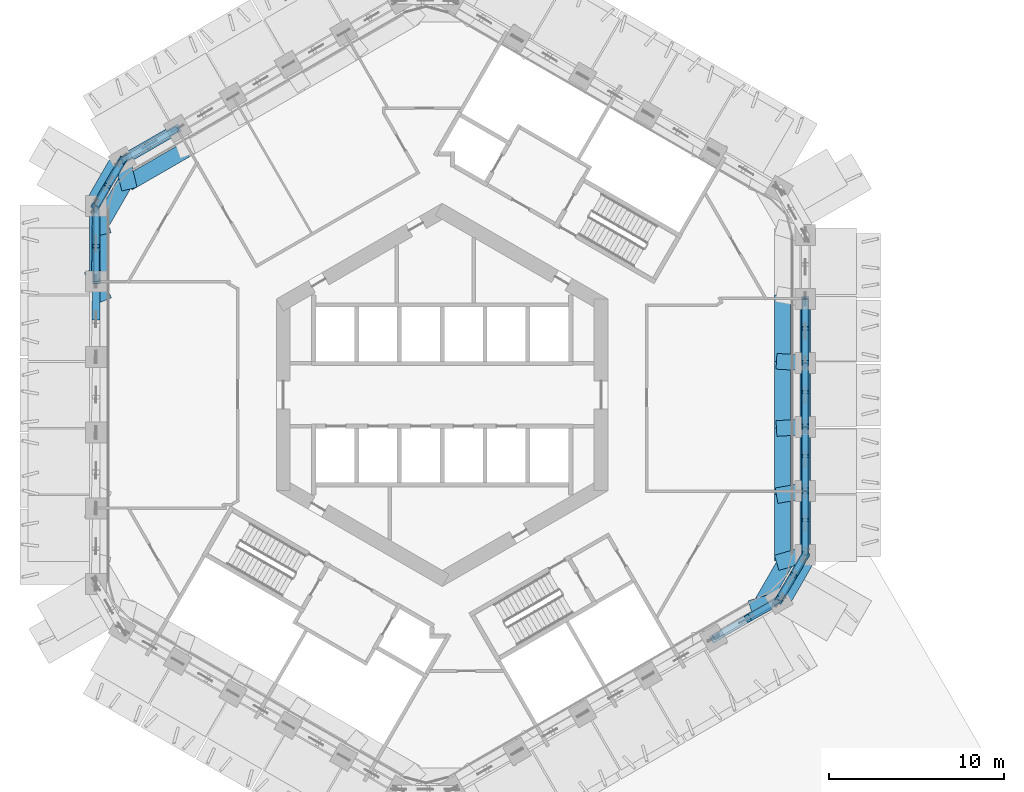
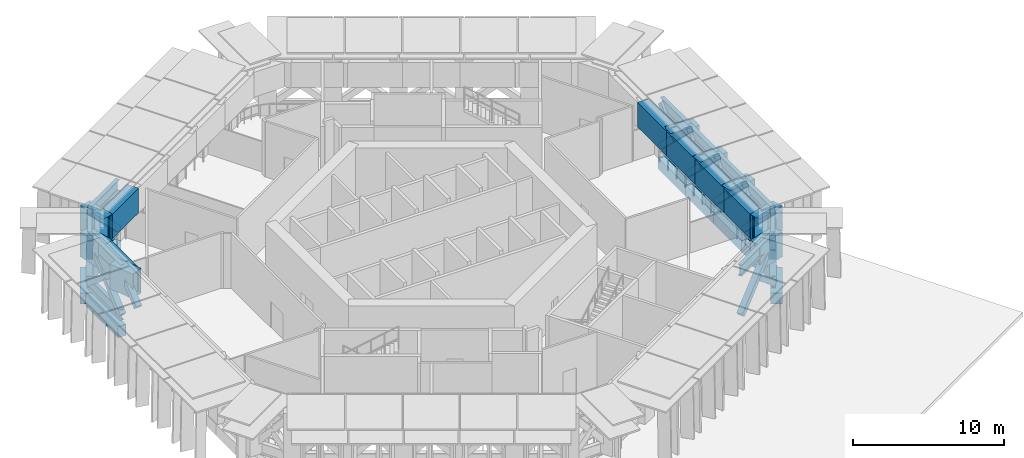
# One storey, part 3 of 16: 42 members, 24 beams.
"""IFC4 building model written with IfcOpenShell, lengths in metres."""

from ifc_helpers import new_model, si_unit, direction, frame, origin, origin_2d, place, context, subcontext, project, spatial, rectangle, hollow_rectangle, i_section, extrude, material, material_profile, profile_set, type_object, element, save


model = new_model("IFC4")

# Units and contexts
model_context = context("Model", 3, precision=1e-05, world=origin(), true_north=direction((0.0, 1.0)))
body_context = subcontext(model_context, "Body", "Model", "MODEL_VIEW")
ifc_project = project(units=[si_unit("LENGTHUNIT", "METRE"), si_unit("AREAUNIT", "SQUARE_METRE"), si_unit("VOLUMEUNIT", "CUBIC_METRE"), si_unit("PLANEANGLEUNIT", "RADIAN"), si_unit("MASSUNIT", "GRAM", prefix="KILO")], contexts=[model_context])

# Site, building, storey
site_placement = place(None, origin())
site = spatial("IfcSite", under=ifc_project, at=site_placement, CompositionType="ELEMENT")
building_placement = place(site_placement, origin())
building = spatial("IfcBuilding", under=site, at=building_placement, Name="Ayvan Gate Tower", CompositionType="ELEMENT")
storey_placement = place(building_placement, frame((0.0, 0.0, 78.300048828125)))
storey = spatial("IfcBuildingStorey", under=building, at=storey_placement, Name="L20", CompositionType="ELEMENT", Elevation=78.300048828125)

# Members
ifc_material_1 = material(Name="Steel S460ML", Category="steel")
ifc_material_profile_1 = material_profile(ifc_material_1, hollow_rectangle(XDim=0.449951171875, YDim=0.449951171875, WallThickness=0.02490234375, at=origin_2d()), Name="BOX 450x450x25")
ifc_profile_set_1 = profile_set([ifc_material_profile_1], Name="Steel S460ML")
member_type_1 = type_object("IfcMemberType", Name="Belt truss brace BT1 BOX 450x450x25", PredefinedType="BRACE", material=ifc_profile_set_1)
member_1_placement = place(storey_placement, frame((20.78466796875, -9.194580078125, 0.449951171875), z_axis=(0.0, 0.723504262223, 0.690319913188), x_axis=(-1.0, 0.0, 0.0)))
element("IfcMember", 1, at=member_1_placement, inside=storey, type_object=member_type_1, Name="BT1-DA-1", PredefinedType="BRACE", context=body_context, shape_type="SweptSolid", body=[
    extrude(hollow_rectangle(XDim=0.449951171875, YDim=0.449951171875, WallThickness=0.02490234375, at=origin_2d()), origin(), (0.0, 0.0, 1.0), 5.142578125),
])
member_2_placement = place(storey_placement, frame((20.78466796875, -5.516845703125, 0.449951171875), z_axis=(0.0, -0.712645351525, 0.701524484925), x_axis=(1.0, 0.0, 0.0)))
element("IfcMember", 2, at=member_2_placement, inside=storey, type_object=member_type_1, Name="BT1-DB-1", PredefinedType="BRACE", context=body_context, shape_type="SweptSolid", body=[
    extrude(hollow_rectangle(XDim=0.449951171875, YDim=0.449951171875, WallThickness=0.02490234375, at=origin_2d()), origin(), (0.0, 0.0, 1.0), 2.414794921875),
])
member_3_placement = place(storey_placement, frame((20.78466796875, -7.416259765625, 2.319580078125), z_axis=(0.0, -0.712589554474, 0.701581161986), x_axis=(1.0, 0.0, 0.0)))
element("IfcMember", 3, at=member_3_placement, inside=storey, type_object=member_type_1, Name="BT1-DC-1", PredefinedType="BRACE", context=body_context, shape_type="SweptSolid", body=[
    extrude(hollow_rectangle(XDim=0.449951171875, YDim=0.449951171875, WallThickness=0.02490234375, at=origin_2d()), origin(), (0.0, 0.0, 1.0), 2.395263671875),
])
member_4_placement = place(storey_placement, frame((20.78466796875, -5.516845703125, 0.449951171875), z_axis=(0.0, 0.720841308262, 0.693100143056), x_axis=(-1.0, 0.0, 0.0)))
element("IfcMember", 4, at=member_4_placement, inside=storey, type_object=member_type_1, Name="BT1-DA-2", PredefinedType="BRACE", context=body_context, shape_type="SweptSolid", body=[
    extrude(hollow_rectangle(XDim=0.449951171875, YDim=0.449951171875, WallThickness=0.02490234375, at=origin_2d()), origin(), (0.0, 0.0, 1.0), 5.1220703125),
])
member_5_placement = place(storey_placement, frame((20.78466796875, -1.8388671875, 0.449951171875), z_axis=(0.0, -0.715412453724, 0.698702383749), x_axis=(1.0, 0.0, 0.0)))
element("IfcMember", 5, at=member_5_placement, inside=storey, type_object=member_type_1, Name="BT1-DB-2", PredefinedType="BRACE", context=body_context, shape_type="SweptSolid", body=[
    extrude(hollow_rectangle(XDim=0.449951171875, YDim=0.449951171875, WallThickness=0.02490234375, at=origin_2d()), origin(), (0.0, 0.0, 1.0), 2.42529296875),
])
member_6_placement = place(storey_placement, frame((20.78466796875, -3.7529296875, 2.3193359375), z_axis=(0.0, -0.715430449453, 0.698683957162), x_axis=(1.0, 0.0, 0.0)))
element("IfcMember", 6, at=member_6_placement, inside=storey, type_object=member_type_1, Name="BT1-DC-2", PredefinedType="BRACE", context=body_context, shape_type="SweptSolid", body=[
    extrude(hollow_rectangle(XDim=0.449951171875, YDim=0.449951171875, WallThickness=0.02490234375, at=origin_2d()), origin(), (0.0, 0.0, 1.0), 2.405517578125),
])
member_7_placement = place(storey_placement, frame((20.78466796875, -1.8388671875, 0.449951171875), z_axis=(0.0, 0.718146044696, 0.69589241876), x_axis=(-1.0, 0.0, 0.0)))
element("IfcMember", 7, at=member_7_placement, inside=storey, type_object=member_type_1, Name="BT1-DA-3", PredefinedType="BRACE", context=body_context, shape_type="SweptSolid", body=[
    extrude(hollow_rectangle(XDim=0.449951171875, YDim=0.449951171875, WallThickness=0.02490234375, at=origin_2d()), origin(), (0.0, 0.0, 1.0), 5.101318359375),
])
member_8_placement = place(storey_placement, frame((20.78466796875, 1.8388671875, 0.449951171875), z_axis=(0.0, -0.718146285065, 0.695892170704), x_axis=(1.0, 0.0, 0.0)))
element("IfcMember", 8, at=member_8_placement, inside=storey, type_object=member_type_1, Name="BT1-DB-3", PredefinedType="BRACE", context=body_context, shape_type="SweptSolid", body=[
    extrude(hollow_rectangle(XDim=0.449951171875, YDim=0.449951171875, WallThickness=0.02490234375, at=origin_2d()), origin(), (0.0, 0.0, 1.0), 2.435546875),
])
member_9_placement = place(storey_placement, frame((20.78466796875, -0.08984375, 2.31884765625), z_axis=(0.0, -0.718136048583, 0.695902734386), x_axis=(1.0, 0.0, 0.0)))
element("IfcMember", 9, at=member_9_placement, inside=storey, type_object=member_type_1, Name="BT1-DC-3", PredefinedType="BRACE", context=body_context, shape_type="SweptSolid", body=[
    extrude(hollow_rectangle(XDim=0.449951171875, YDim=0.449951171875, WallThickness=0.02490234375, at=origin_2d()), origin(), (0.0, 0.0, 1.0), 2.415771484375),
])
member_10_placement = place(storey_placement, frame((20.78466796875, 1.8388671875, 0.449951171875), z_axis=(0.0, 0.715418070486, 0.698696632611), x_axis=(-1.0, 0.0, 0.0)))
element("IfcMember", 10, at=member_10_placement, inside=storey, type_object=member_type_1, Name="BT1-DA-4", PredefinedType="BRACE", context=body_context, shape_type="SweptSolid", body=[
    extrude(hollow_rectangle(XDim=0.449951171875, YDim=0.449951171875, WallThickness=0.02490234375, at=origin_2d()), origin(), (0.0, 0.0, 1.0), 5.0810546875),
])
member_11_placement = place(storey_placement, frame((20.78466796875, 5.516845703125, 0.449951171875), z_axis=(0.0, -0.720844572756, 0.693096747884), x_axis=(1.0, 0.0, 0.0)))
element("IfcMember", 11, at=member_11_placement, inside=storey, type_object=member_type_1, Name="BT1-DB-4", PredefinedType="BRACE", context=body_context, shape_type="SweptSolid", body=[
    extrude(hollow_rectangle(XDim=0.449951171875, YDim=0.449951171875, WallThickness=0.02490234375, at=origin_2d()), origin(), (0.0, 0.0, 1.0), 2.446044921875),
])
member_12_placement = place(storey_placement, frame((20.78466796875, 3.5732421875, 2.318603515625), z_axis=(0.0, -0.720809856891, 0.693132851774), x_axis=(1.0, 0.0, 0.0)))
element("IfcMember", 12, at=member_12_placement, inside=storey, type_object=member_type_1, Name="BT1-DC-4", PredefinedType="BRACE", context=body_context, shape_type="SweptSolid", body=[
    extrude(hollow_rectangle(XDim=0.449951171875, YDim=0.449951171875, WallThickness=0.02490234375, at=origin_2d()), origin(), (0.0, 0.0, 1.0), 2.42578125),
])
member_13_placement = place(storey_placement, frame((-15.169921875, 15.24169921875, 0.449951171875), z_axis=(-0.61718122253, -0.356327719034, 0.701511151162), x_axis=(0.499997867913, -0.866026634742, 0.0)))
element("IfcMember", 13, at=member_13_placement, inside=storey, type_object=member_type_1, Name="BT1-DA-17", PredefinedType="BRACE", context=body_context, shape_type="SweptSolid", body=[
    extrude(hollow_rectangle(XDim=0.449951171875, YDim=0.449951171875, WallThickness=0.02490234375, at=origin_2d()), origin(), (0.0, 0.0, 1.0), 5.060546875),
])
member_14_placement = place(storey_placement, frame((-18.355224609375, 13.402587890625, 0.449951171875), z_axis=(-0.312047645602, -0.55601698482, 0.770370936281), x_axis=(0.872052226289, -0.489412826379, 0.0)))
element("IfcMember", 14, at=member_14_placement, inside=storey, type_object=member_type_1, Name="BT1-DA-18", PredefinedType="BRACE", context=body_context, shape_type="SweptSolid", body=[
    extrude(hollow_rectangle(XDim=0.449951171875, YDim=0.449951171875, WallThickness=0.02490234375, at=origin_2d()), origin(), (0.0, 0.0, 1.0), 4.608154296875),
])
for number, where, z_axis, x_axis, name in (
    (15, (-19.855224609375, 10.8046875, 0.449951171875), (0.333168771538, 0.561781602537, 0.757231801183), (-0.860116120612, 0.510098283729, 0.0), "BT1-DB-18"),
    (16, (-19.031494140625, 12.193603515625, 2.322021484375), (0.333168771538, 0.561781602537, 0.757231801183), (-0.860116120612, 0.510098283729, 0.0), "BT1-DC-18"),
):
    element("IfcMember", number, at=place(storey_placement, frame(where, z_axis=z_axis, x_axis=x_axis)), inside=storey, type_object=member_type_1, Name=name, PredefinedType="BRACE", context=body_context, shape_type="SweptSolid", body=[
        extrude(hollow_rectangle(XDim=0.449951171875, YDim=0.449951171875, WallThickness=0.02490234375, at=origin_2d()), origin(), (0.0, 0.0, 1.0), 2.2158203125),
    ])
member_15_placement = place(storey_placement, frame((-19.855224609375, 10.8046875, 0.449951171875), z_axis=(0.011119478429, -0.771140206824, 0.636568251344), x_axis=(0.999896054804, 0.01441802997, 0.0)))
element("IfcMember", 17, at=member_15_placement, inside=storey, type_object=member_type_1, Name="BT1-DA-19", PredefinedType="BRACE", context=body_context, shape_type="SweptSolid", body=[
    extrude(hollow_rectangle(XDim=0.449951171875, YDim=0.449951171875, WallThickness=0.02490234375, at=origin_2d()), origin(), (0.0, 0.0, 1.0), 5.576904296875),
])
member_16_placement = place(storey_placement, frame((-19.855224609375, 6.482666015625, 0.449951171875), z_axis=(0.011037030793, 0.775237394311, 0.631573563738), x_axis=(-0.99989866976, 0.01423552642, 0.0)))
element("IfcMember", 18, at=member_16_placement, inside=storey, type_object=member_type_1, Name="BT1-DB-19", PredefinedType="BRACE", context=body_context, shape_type="SweptSolid", body=[
    extrude(hollow_rectangle(XDim=0.449951171875, YDim=0.449951171875, WallThickness=0.02490234375, at=origin_2d()), origin(), (0.0, 0.0, 1.0), 2.676513671875),
])
member_17_placement = place(storey_placement, frame((-19.82275390625, 8.75830078125, 2.3037109375), z_axis=(0.010999266937, 0.775221061472, 0.631594270064), x_axis=(-0.999899357644, 0.014187127377, 0.0)))
element("IfcMember", 19, at=member_17_placement, inside=storey, type_object=member_type_1, Name="BT1-DC-19", PredefinedType="BRACE", context=body_context, shape_type="SweptSolid", body=[
    extrude(hollow_rectangle(XDim=0.449951171875, YDim=0.449951171875, WallThickness=0.02490234375, at=origin_2d()), origin(), (0.0, 0.0, 1.0), 2.685791015625),
])
member_18_placement = place(storey_placement, frame((-19.82275390625, 4.42919921875, 2.303955078125), z_axis=(0.011022411443, 0.77421053595, 0.632832167695), x_axis=(-0.99989866976, 0.01423552642, 0.0)))
element("IfcMember", 20, at=member_18_placement, inside=storey, type_object=member_type_1, Name="BT1-DC-20", PredefinedType="BRACE", context=body_context, shape_type="SweptSolid", body=[
    extrude(hollow_rectangle(XDim=0.449951171875, YDim=0.449951171875, WallThickness=0.02490234375, at=origin_2d()), origin(), (0.0, 0.0, 1.0), 2.68017578125),
])
member_19_placement = place(storey_placement, frame((15.541748046875, -13.95361328125, 0.449951171875), z_axis=(0.665877680418, 0.397155143809, 0.631565282823), x_axis=(-0.512244956012, 0.858839394206, 0.0)))
element("IfcMember", 21, at=member_19_placement, inside=storey, type_object=member_type_1, Name="BT1-DA-35", PredefinedType="BRACE", context=body_context, shape_type="SweptSolid", body=[
    extrude(hollow_rectangle(XDim=0.449951171875, YDim=0.449951171875, WallThickness=0.02490234375, at=origin_2d()), origin(), (0.0, 0.0, 1.0), 5.62109375),
])
member_20_placement = place(storey_placement, frame((19.28466796875, -11.792724609375, 0.449951171875), z_axis=(-0.673379832387, -0.375919051354, 0.636588146421), x_axis=(0.487444406324, -0.873154024639, 0.0)))
element("IfcMember", 22, at=member_20_placement, inside=storey, type_object=member_type_1, Name="BT1-DB-35", PredefinedType="BRACE", context=body_context, shape_type="SweptSolid", body=[
    extrude(hollow_rectangle(XDim=0.449951171875, YDim=0.449951171875, WallThickness=0.02490234375, at=origin_2d()), origin(), (0.0, 0.0, 1.0), 2.654296875),
])
member_21_placement = place(storey_placement, frame((19.28466796875, -11.792724609375, 0.449951171875), z_axis=(0.319946349433, 0.569435763517, 0.757216775245), x_axis=(-0.871811777102, 0.48984102044, 0.0)))
element("IfcMember", 23, at=member_21_placement, inside=storey, type_object=member_type_1, Name="BT1-DA-36", PredefinedType="BRACE", context=body_context, shape_type="SweptSolid", body=[
    extrude(hollow_rectangle(XDim=0.449951171875, YDim=0.449951171875, WallThickness=0.02490234375, at=origin_2d()), origin(), (0.0, 0.0, 1.0), 4.688232421875),
])
member_22_placement = place(storey_placement, frame((20.78466796875, -9.194580078125, 0.449951171875), z_axis=(-0.325481773142, -0.548303835003, 0.770340522024), x_axis=(0.859905430674, -0.510453377202, 0.0)))
element("IfcMember", 24, at=member_22_placement, inside=storey, type_object=member_type_1, Name="BT1-DB-36", PredefinedType="BRACE", context=body_context, shape_type="SweptSolid", body=[
    extrude(hollow_rectangle(XDim=0.449951171875, YDim=0.449951171875, WallThickness=0.02490234375, at=origin_2d()), origin(), (0.0, 0.0, 1.0), 2.176025390625),
])
member_23_placement = place(storey_placement, frame((19.992919921875, -10.5283203125, 2.32373046875), z_axis=(-0.325501795837, -0.548225361758, 0.770387911141), x_axis=(0.859859572254, -0.510530622003, 0.0)))
element("IfcMember", 25, at=member_23_placement, inside=storey, type_object=member_type_1, Name="BT1-DC-36", PredefinedType="BRACE", context=body_context, shape_type="SweptSolid", body=[
    extrude(hollow_rectangle(XDim=0.449951171875, YDim=0.449951171875, WallThickness=0.02490234375, at=origin_2d()), origin(), (0.0, 0.0, 1.0), 2.17578125),
])
ifc_material_profile_2 = material_profile(ifc_material_1, i_section(OverallWidth=0.300048828125, OverallDepth=0.89990234375, WebThickness=0.0185546875, FlangeThickness=0.034912109375, FilletRadius=0.030029296875, at=origin_2d()), Name="HE 900 B")
ifc_profile_set_2 = profile_set([ifc_material_profile_2], Name="Steel S460ML")
member_type_2 = type_object("IfcMemberType", Name="Belt truss chord BT1 HE 900 B", PredefinedType="CHORD", material=ifc_profile_set_2)
member_24_placement = place(storey_placement, frame((20.78466796875, -9.194580078125, 0.449951171875), z_axis=(0.0, 1.0, 0.0), x_axis=(-1.0, 0.0, 0.0)))
element("IfcMember", 26, at=member_24_placement, inside=storey, type_object=member_type_2, Name="BT1-BC-1", PredefinedType="CHORD", context=body_context, shape_type="SweptSolid", body=[
    extrude(i_section(OverallWidth=0.300048828125, OverallDepth=0.89990234375, WebThickness=0.0185546875, FlangeThickness=0.034912109375, FilletRadius=0.030029296875, at=origin_2d()), origin(), (0.0, 0.0, 1.0), 3.677734375),
])
member_25_placement = place(storey_placement, frame((20.78466796875, -9.123046875, 4.0), z_axis=(0.0, 1.0, 0.0), x_axis=(-1.0, 0.0, 0.0)))
element("IfcMember", 27, at=member_25_placement, inside=storey, type_object=member_type_2, Name="BT1-TC-1", PredefinedType="CHORD", context=body_context, shape_type="SweptSolid", body=[
    extrude(i_section(OverallWidth=0.300048828125, OverallDepth=0.89990234375, WebThickness=0.0185546875, FlangeThickness=0.034912109375, FilletRadius=0.030029296875, at=origin_2d()), origin(), (0.0, 0.0, 1.0), 3.649169921875),
])
member_26_placement = place(storey_placement, frame((20.78466796875, -5.516845703125, 0.449951171875), z_axis=(0.0, 1.0, 0.0), x_axis=(-1.0, 0.0, 0.0)))
element("IfcMember", 28, at=member_26_placement, inside=storey, type_object=member_type_2, Name="BT1-BC-2", PredefinedType="CHORD", context=body_context, shape_type="SweptSolid", body=[
    extrude(i_section(OverallWidth=0.300048828125, OverallDepth=0.89990234375, WebThickness=0.0185546875, FlangeThickness=0.034912109375, FilletRadius=0.030029296875, at=origin_2d()), origin(), (0.0, 0.0, 1.0), 3.677978515625),
])
member_27_placement = place(storey_placement, frame((20.78466796875, -5.473876953125, 4.0), z_axis=(0.0, 1.0, 0.0), x_axis=(-1.0, 0.0, 0.0)))
element("IfcMember", 29, at=member_27_placement, inside=storey, type_object=member_type_2, Name="BT1-TC-2", PredefinedType="CHORD", context=body_context, shape_type="SweptSolid", body=[
    extrude(i_section(OverallWidth=0.300048828125, OverallDepth=0.89990234375, WebThickness=0.0185546875, FlangeThickness=0.034912109375, FilletRadius=0.030029296875, at=origin_2d()), origin(), (0.0, 0.0, 1.0), 3.649169921875),
])
member_28_placement = place(storey_placement, frame((20.78466796875, -1.8388671875, 0.449951171875), z_axis=(0.0, 1.0, 0.0), x_axis=(-1.0, 0.0, 0.0)))
element("IfcMember", 30, at=member_28_placement, inside=storey, type_object=member_type_2, Name="BT1-BC-3", PredefinedType="CHORD", context=body_context, shape_type="SweptSolid", body=[
    extrude(i_section(OverallWidth=0.300048828125, OverallDepth=0.89990234375, WebThickness=0.0185546875, FlangeThickness=0.034912109375, FilletRadius=0.030029296875, at=origin_2d()), origin(), (0.0, 0.0, 1.0), 3.677734375),
])
member_29_placement = place(storey_placement, frame((20.78466796875, -1.82470703125, 4.0), z_axis=(0.0, 1.0, 0.0), x_axis=(-1.0, 0.0, 0.0)))
element("IfcMember", 31, at=member_29_placement, inside=storey, type_object=member_type_2, Name="BT1-TC-3", PredefinedType="CHORD", context=body_context, shape_type="SweptSolid", body=[
    extrude(i_section(OverallWidth=0.300048828125, OverallDepth=0.89990234375, WebThickness=0.0185546875, FlangeThickness=0.034912109375, FilletRadius=0.030029296875, at=origin_2d()), origin(), (0.0, 0.0, 1.0), 3.6494140625),
])
member_30_placement = place(storey_placement, frame((20.78466796875, 1.8388671875, 0.449951171875), z_axis=(0.0, 1.0, 0.0), x_axis=(-1.0, 0.0, 0.0)))
element("IfcMember", 32, at=member_30_placement, inside=storey, type_object=member_type_2, Name="BT1-BC-4", PredefinedType="CHORD", context=body_context, shape_type="SweptSolid", body=[
    extrude(i_section(OverallWidth=0.300048828125, OverallDepth=0.89990234375, WebThickness=0.0185546875, FlangeThickness=0.034912109375, FilletRadius=0.030029296875, at=origin_2d()), origin(), (0.0, 0.0, 1.0), 3.677978515625),
])
member_31_placement = place(storey_placement, frame((20.78466796875, 1.82470703125, 4.0), z_axis=(0.0, 1.0, 0.0), x_axis=(-1.0, 0.0, 0.0)))
element("IfcMember", 33, at=member_31_placement, inside=storey, type_object=member_type_2, Name="BT1-TC-4", PredefinedType="CHORD", context=body_context, shape_type="SweptSolid", body=[
    extrude(i_section(OverallWidth=0.300048828125, OverallDepth=0.89990234375, WebThickness=0.0185546875, FlangeThickness=0.034912109375, FilletRadius=0.030029296875, at=origin_2d()), origin(), (0.0, 0.0, 1.0), 3.649169921875),
])
member_32_placement = place(storey_placement, frame((-15.169921875, 15.24169921875, 0.449951171875), z_axis=(-0.866016463813, -0.500015484165, 0.0), x_axis=(0.500015484165, -0.866016463813, 0.0)))
element("IfcMember", 34, at=member_32_placement, inside=storey, type_object=member_type_2, Name="BT1-BC-17", PredefinedType="CHORD", context=body_context, shape_type="SweptSolid", body=[
    extrude(i_section(OverallWidth=0.300048828125, OverallDepth=0.89990234375, WebThickness=0.0185546875, FlangeThickness=0.034912109375, FilletRadius=0.030029296875, at=origin_2d()), origin(), (0.0, 0.0, 1.0), 3.67822265625),
])
member_33_placement = place(storey_placement, frame((-15.1328125, 15.26318359375, 4.0), z_axis=(-0.866019587851, -0.500010073357, 0.0), x_axis=(0.500010073357, -0.866019587851, 0.0)))
element("IfcMember", 35, at=member_33_placement, inside=storey, type_object=member_type_2, Name="BT1-TC-17", PredefinedType="CHORD", context=body_context, shape_type="SweptSolid", body=[
    extrude(i_section(OverallWidth=0.300048828125, OverallDepth=0.89990234375, WebThickness=0.0185546875, FlangeThickness=0.034912109375, FilletRadius=0.030029296875, at=origin_2d()), origin(), (0.0, 0.0, 1.0), 3.6494140625),
])
member_34_placement = place(storey_placement, frame((-18.355224609375, 13.402587890625, 0.449951171875), z_axis=(-0.50002537861, -0.866010750942, 0.0), x_axis=(0.866010750942, -0.50002537861, 0.0)))
element("IfcMember", 36, at=member_34_placement, inside=storey, type_object=member_type_2, Name="BT1-BC-18", PredefinedType="CHORD", context=body_context, shape_type="SweptSolid", body=[
    extrude(i_section(OverallWidth=0.300048828125, OverallDepth=0.89990234375, WebThickness=0.0185546875, FlangeThickness=0.034912109375, FilletRadius=0.030029296875, at=origin_2d()), origin(), (0.0, 0.0, 1.0), 2.999755859375),
])
member_35_placement = place(storey_placement, frame((-18.293212890625, 13.4384765625, 4.0), z_axis=(-0.499990139034, -0.866031096941, 0.0), x_axis=(0.866031096941, -0.499990139034, 0.0)))
element("IfcMember", 37, at=member_35_placement, inside=storey, type_object=member_type_2, Name="BT1-TC-18", PredefinedType="CHORD", context=body_context, shape_type="SweptSolid", body=[
    extrude(i_section(OverallWidth=0.300048828125, OverallDepth=0.89990234375, WebThickness=0.0185546875, FlangeThickness=0.034912109375, FilletRadius=0.030029296875, at=origin_2d()), origin(), (0.0, 0.0, 1.0), 3.0),
])
member_36_placement = place(storey_placement, frame((-19.855224609375, 10.8046875, 0.449951171875), z_axis=(0.0, -1.0, 0.0), x_axis=(1.0, 0.0, 0.0)))
element("IfcMember", 38, at=member_36_placement, inside=storey, type_object=member_type_2, Name="BT1-BC-19", PredefinedType="CHORD", context=body_context, shape_type="SweptSolid", body=[
    extrude(i_section(OverallWidth=0.300048828125, OverallDepth=0.89990234375, WebThickness=0.0185546875, FlangeThickness=0.034912109375, FilletRadius=0.030029296875, at=origin_2d()), origin(), (0.0, 0.0, 1.0), 4.322021484375),
])
for number, where, z_axis, x_axis, name in (
    (39, (-19.793212890625, 10.84033203125, 4.0), (0.0, -1.0, 0.0), (1.0, 0.0, 0.0), "BT1-TC-19"),
    (40, (15.529296875, -13.88916015625, 4.0), (0.866044951753, 0.499966140396, 0.0), (-0.499966140396, 0.866044951753, 0.0), "BT1-TC-35"),
):
    element("IfcMember", number, at=place(storey_placement, frame(where, z_axis=z_axis, x_axis=x_axis)), inside=storey, type_object=member_type_2, Name=name, PredefinedType="CHORD", context=body_context, shape_type="SweptSolid", body=[
        extrude(i_section(OverallWidth=0.300048828125, OverallDepth=0.89990234375, WebThickness=0.0185546875, FlangeThickness=0.034912109375, FilletRadius=0.030029296875, at=origin_2d()), origin(), (0.0, 0.0, 1.0), 4.336181640625),
    ])
for number, where, z_axis, x_axis, name in (
    (41, (19.28466796875, -11.792724609375, 0.449951171875), (0.499990139034, 0.866031096941, 0.0), (-0.866031096941, 0.499990139034, 0.0), "BT1-BC-36"),
    (42, (19.28466796875, -11.72119140625, 4.0), (0.499990139034, 0.866031096941, 0.0), (-0.866031096941, 0.499990139034, 0.0), "BT1-TC-36"),
):
    element("IfcMember", number, at=place(storey_placement, frame(where, z_axis=z_axis, x_axis=x_axis)), inside=storey, type_object=member_type_2, Name=name, PredefinedType="CHORD", context=body_context, shape_type="SweptSolid", body=[
        extrude(i_section(OverallWidth=0.300048828125, OverallDepth=0.89990234375, WebThickness=0.0185546875, FlangeThickness=0.034912109375, FilletRadius=0.030029296875, at=origin_2d()), origin(), (0.0, 0.0, 1.0), 3.0),
    ])

# Beams
ifc_material_2 = material(Name="Concrete C40/50", Category="concrete")
ifc_material_profile_3 = material_profile(ifc_material_2, rectangle(XDim=0.800048828125, YDim=0.89990234375, at=origin_2d()), Name="RC 800x900")
ifc_profile_set_3 = profile_set([ifc_material_profile_3], Name="Concrete C40/50")
beam_type_1 = type_object("IfcBeamType", Name="Corner spandrel beam RC 800x900 C40/50", PredefinedType="BEAM", material=ifc_profile_set_3)
for number, where, z_axis, x_axis, name in (
    (43, (-18.568359375, 13.49951171875, -0.85009765625), (-0.499990139034, -0.866031096941, 0.0), (0.866031096941, -0.499990139034, 0.0), "SB-L20-18"),
    (44, (19.47509765625, -11.928955078125, -0.85009765625), (0.499990139034, 0.866031096941, 0.0), (-0.866031096941, 0.499990139034, 0.0), "SB-L20-36"),
):
    element("IfcBeam", number, at=place(storey_placement, frame(where, z_axis=z_axis, x_axis=x_axis)), inside=storey, type_object=beam_type_1, Name=name, PredefinedType="BEAM", context=body_context, shape_type="SweptSolid", body=[
        extrude(rectangle(XDim=0.800048828125, YDim=0.89990234375, at=origin_2d()), origin(), (0.0, 0.0, 1.0), 3.0),
    ])
ifc_material_profile_4 = material_profile(ifc_material_2, rectangle(XDim=0.60009765625, YDim=0.89990234375, at=origin_2d()), Name="RC 600x900")
ifc_profile_set_4 = profile_set([ifc_material_profile_4], Name="Concrete C40/50")
beam_type_2 = type_object("IfcBeamType", Name="Spandrel beam RC 600x900 C40/50", PredefinedType="BEAM", material=ifc_profile_set_4)
beam_1_placement = place(storey_placement, frame((20.78466796875, -9.220947265625, -0.85009765625), z_axis=(0.0, 1.0, 0.0), x_axis=(-1.0, 0.0, 0.0)))
element("IfcBeam", 45, at=beam_1_placement, inside=storey, type_object=beam_type_2, Name="SB-L20-1", PredefinedType="BEAM", context=body_context, shape_type="SweptSolid", body=[
    extrude(rectangle(XDim=0.60009765625, YDim=0.89990234375, at=origin_2d()), origin(), (0.0, 0.0, 1.0), 3.6884765625),
])
beam_2_placement = place(storey_placement, frame((20.78466796875, -5.532470703125, -0.85009765625), z_axis=(0.0, 1.0, 0.0), x_axis=(-1.0, 0.0, 0.0)))
element("IfcBeam", 46, at=beam_2_placement, inside=storey, type_object=beam_type_2, Name="SB-L20-2", PredefinedType="BEAM", context=body_context, shape_type="SweptSolid", body=[
    extrude(rectangle(XDim=0.60009765625, YDim=0.89990234375, at=origin_2d()), origin(), (0.0, 0.0, 1.0), 3.688232421875),
])
beam_3_placement = place(storey_placement, frame((20.78466796875, -1.84423828125, -0.85009765625), z_axis=(0.0, 1.0, 0.0), x_axis=(-1.0, 0.0, 0.0)))
element("IfcBeam", 47, at=beam_3_placement, inside=storey, type_object=beam_type_2, Name="SB-L20-3", PredefinedType="BEAM", context=body_context, shape_type="SweptSolid", body=[
    extrude(rectangle(XDim=0.60009765625, YDim=0.89990234375, at=origin_2d()), origin(), (0.0, 0.0, 1.0), 3.6884765625),
])
beam_4_placement = place(storey_placement, frame((20.78466796875, 1.84423828125, -0.85009765625), z_axis=(0.0, 1.0, 0.0), x_axis=(-1.0, 0.0, 0.0)))
element("IfcBeam", 48, at=beam_4_placement, inside=storey, type_object=beam_type_2, Name="SB-L20-4", PredefinedType="BEAM", context=body_context, shape_type="SweptSolid", body=[
    extrude(rectangle(XDim=0.60009765625, YDim=0.89990234375, at=origin_2d()), origin(), (0.0, 0.0, 1.0), 3.688232421875),
])
beam_5_placement = place(storey_placement, frame((-15.18359375, 15.233642578125, -0.85009765625), z_axis=(-0.866055523696, -0.499947827154, 0.0), x_axis=(0.499947827154, -0.866055523696, 0.0)))
element("IfcBeam", 49, at=beam_5_placement, inside=storey, type_object=beam_type_2, Name="SB-L20-17", PredefinedType="BEAM", context=body_context, shape_type="SweptSolid", body=[
    extrude(rectangle(XDim=0.60009765625, YDim=0.89990234375, at=origin_2d()), origin(), (0.0, 0.0, 1.0), 3.6884765625),
])
beam_6_placement = place(storey_placement, frame((-19.8779296875, 10.79150390625, -0.85009765625), z_axis=(0.0, -1.0, 0.0), x_axis=(1.0, 0.0, 0.0)))
element("IfcBeam", 50, at=beam_6_placement, inside=storey, type_object=beam_type_2, Name="SB-L20-19", PredefinedType="BEAM", context=body_context, shape_type="SweptSolid", body=[
    extrude(rectangle(XDim=0.60009765625, YDim=0.89990234375, at=origin_2d()), origin(), (0.0, 0.0, 1.0), 4.316650390625),
])
ifc_material_profile_5 = material_profile(ifc_material_1, hollow_rectangle(XDim=0.89990234375, YDim=2.0, WallThickness=0.06005859375, at=origin_2d()), Name="BOX 900x2000x60")
ifc_profile_set_5 = profile_set([ifc_material_profile_5], Name="Steel S460ML")
beam_type_3 = type_object("IfcBeamType", Name="Transfer ring girder BOX 900x2000x60", PredefinedType="BEAM", material=ifc_profile_set_5)
beam_7_placement = place(storey_placement, frame((19.485595703125, -9.51806640625, 3.449951171875), z_axis=(0.0, 1.0, 0.0), x_axis=(-1.0, 0.0, 0.0)))
element("IfcBeam", 51, at=beam_7_placement, inside=storey, type_object=beam_type_3, Name="TR-L20-1", PredefinedType="BEAM", context=body_context, shape_type="SweptSolid", body=[
    extrude(hollow_rectangle(XDim=0.89990234375, YDim=2.0, WallThickness=0.06005859375, at=origin_2d()), origin(), (0.0, 0.0, 1.0), 3.807373046875),
])
for number, where, z_axis, x_axis, name in (
    (52, (19.485595703125, -5.710693359375, 3.449951171875), (0.0, 1.0, 0.0), (-1.0, 0.0, 0.0), "TR-L20-2"),
    (53, (19.485595703125, -1.903564453125, 3.449951171875), (0.0, 1.0, 0.0), (-1.0, 0.0, 0.0), "TR-L20-3"),
    (54, (19.485595703125, 1.903564453125, 3.449951171875), (0.0, 1.0, 0.0), (-1.0, 0.0, 0.0), "TR-L20-4"),
    (55, (-14.6884765625, 14.01953125, 3.449951171875), (-0.866028607742, -0.499994450542, 0.0), (0.499994450542, -0.866028607742, 0.0), "TR-L20-17"),
):
    element("IfcBeam", number, at=place(storey_placement, frame(where, z_axis=z_axis, x_axis=x_axis)), inside=storey, type_object=beam_type_3, Name=name, PredefinedType="BEAM", context=body_context, shape_type="SweptSolid", body=[
        extrude(hollow_rectangle(XDim=0.89990234375, YDim=2.0, WallThickness=0.06005859375, at=origin_2d()), origin(), (0.0, 0.0, 1.0), 3.80712890625),
    ])
beam_8_placement = place(storey_placement, frame((-18.1328125, 12.200927734375, 3.449951171875), z_axis=(-0.50002537861, -0.866010750942, 0.0), x_axis=(0.866010750942, -0.50002537861, 0.0)))
element("IfcBeam", 56, at=beam_8_placement, inside=storey, type_object=beam_type_3, Name="TR-L20-18", PredefinedType="BEAM", context=body_context, shape_type="SweptSolid", body=[
    extrude(hollow_rectangle(XDim=0.89990234375, YDim=2.0, WallThickness=0.06005859375, at=origin_2d()), origin(), (0.0, 0.0, 1.0), 2.999755859375),
])
beam_9_placement = place(storey_placement, frame((-19.485595703125, 9.51806640625, 3.449951171875), z_axis=(0.0, -1.0, 0.0), x_axis=(1.0, 0.0, 0.0)))
element("IfcBeam", 57, at=beam_9_placement, inside=storey, type_object=beam_type_3, Name="TR-L20-19", PredefinedType="BEAM", context=body_context, shape_type="SweptSolid", body=[
    extrude(hollow_rectangle(XDim=0.89990234375, YDim=2.0, WallThickness=0.06005859375, at=origin_2d()), origin(), (0.0, 0.0, 1.0), 3.807373046875),
])
beam_10_placement = place(storey_placement, frame((18.1328125, -12.200927734375, 3.449951171875), z_axis=(0.50002537861, 0.866010750942, 0.0), x_axis=(-0.866010750942, 0.50002537861, 0.0)))
element("IfcBeam", 58, at=beam_10_placement, inside=storey, type_object=beam_type_3, Name="TR-L20-36", PredefinedType="BEAM", context=body_context, shape_type="SweptSolid", body=[
    extrude(hollow_rectangle(XDim=0.89990234375, YDim=2.0, WallThickness=0.06005859375, at=origin_2d()), origin(), (0.0, 0.0, 1.0), 2.999755859375),
])
beam_11_placement = place(storey_placement, frame((21.238037109375, -9.000244140625, 3.449951171875), z_axis=(-0.959018400524, -0.283343797279, 0.0), x_axis=(0.283343797279, -0.959018400524, 0.0)))
element("IfcBeam", 59, at=beam_11_placement, inside=storey, type_object=beam_type_3, Name="TS-L20-T0-0", PredefinedType="BEAM", context=body_context, shape_type="SweptSolid", body=[
    extrude(hollow_rectangle(XDim=0.89990234375, YDim=2.0, WallThickness=0.06005859375, at=origin_2d()), origin(), (0.0, 0.0, 1.0), 2.17724609375),
])
beam_12_placement = place(storey_placement, frame((21.267333984375, -5.39501953125, 3.449951171875), z_axis=(-0.984648972751, -0.174546270256, 0.0), x_axis=(0.174546270256, -0.984648972751, 0.0)))
element("IfcBeam", 60, at=beam_12_placement, inside=storey, type_object=beam_type_3, Name="TS-L20-T0-1", PredefinedType="BEAM", context=body_context, shape_type="SweptSolid", body=[
    extrude(hollow_rectangle(XDim=0.89990234375, YDim=2.0, WallThickness=0.06005859375, at=origin_2d()), origin(), (0.0, 0.0, 1.0), 2.15966796875),
])
for number, where, z_axis, x_axis, name in (
    (61, (21.283203125, -1.79736328125, 3.449951171875), (-0.99825632032, -0.059028119919, 0.0), (0.059028119919, -0.99825632032, 0.0), "TS-L20-T0-2"),
    (62, (21.283203125, 1.79736328125, 3.449951171875), (-0.99825632032, 0.059028119919, 0.0), (-0.059028119919, -0.99825632032, 0.0), "TS-L20-T0-3"),
):
    element("IfcBeam", number, at=place(storey_placement, frame(where, z_axis=z_axis, x_axis=x_axis)), inside=storey, type_object=beam_type_3, Name=name, PredefinedType="BEAM", context=body_context, shape_type="SweptSolid", body=[
        extrude(hollow_rectangle(XDim=0.89990234375, YDim=2.0, WallThickness=0.06005859375, at=origin_2d()), origin(), (0.0, 0.0, 1.0), 2.150634765625),
    ])
for number, where, z_axis, x_axis, name in (
    (63, (-18.41357421875, 13.892578125, 3.449951171875), (0.234242258358, -0.972178257522, 0.0), (0.972178257522, 0.234242258358, 0.0), "TS-L20-T2-5"),
    (64, (-19.91357421875, 11.29443359375, 3.449951171875), (0.234242258358, -0.972178257522, 0.0), (0.972178257522, 0.234242258358, 0.0), "TS-L20-T3-0"),
):
    element("IfcBeam", number, at=place(storey_placement, frame(where, z_axis=z_axis, x_axis=x_axis)), inside=storey, type_object=beam_type_3, Name=name, PredefinedType="BEAM", context=body_context, shape_type="SweptSolid", body=[
        extrude(hollow_rectangle(XDim=0.89990234375, YDim=2.0, WallThickness=0.06005859375, at=origin_2d()), origin(), (0.0, 0.0, 1.0), 2.17724609375),
    ])
beam_13_placement = place(storey_placement, frame((-20.072509765625, 7.173095703125, 3.449951171875), z_axis=(0.372483360999, -0.928038870834, 0.0), x_axis=(0.928038870834, 0.372483360999, 0.0)))
element("IfcBeam", 65, at=beam_13_placement, inside=storey, type_object=beam_type_3, Name="TS-L20-T3-1", PredefinedType="BEAM", context=body_context, shape_type="SweptSolid", body=[
    extrude(hollow_rectangle(XDim=0.89990234375, YDim=2.0, WallThickness=0.06005859375, at=origin_2d()), origin(), (0.0, 0.0, 1.0), 1.92578125),
])
beam_14_placement = place(storey_placement, frame((19.738037109375, -11.598388671875, 3.449951171875), z_axis=(-0.95904886431, -0.283240667748, 0.0), x_axis=(0.283240667748, -0.95904886431, 0.0)))
element("IfcBeam", 66, at=beam_14_placement, inside=storey, type_object=beam_type_3, Name="TS-L20-T5-5", PredefinedType="BEAM", context=body_context, shape_type="SweptSolid", body=[
    extrude(hollow_rectangle(XDim=0.89990234375, YDim=2.0, WallThickness=0.06005859375, at=origin_2d()), origin(), (0.0, 0.0, 1.0), 2.17724609375),
])

save(model, "model.ifc")
